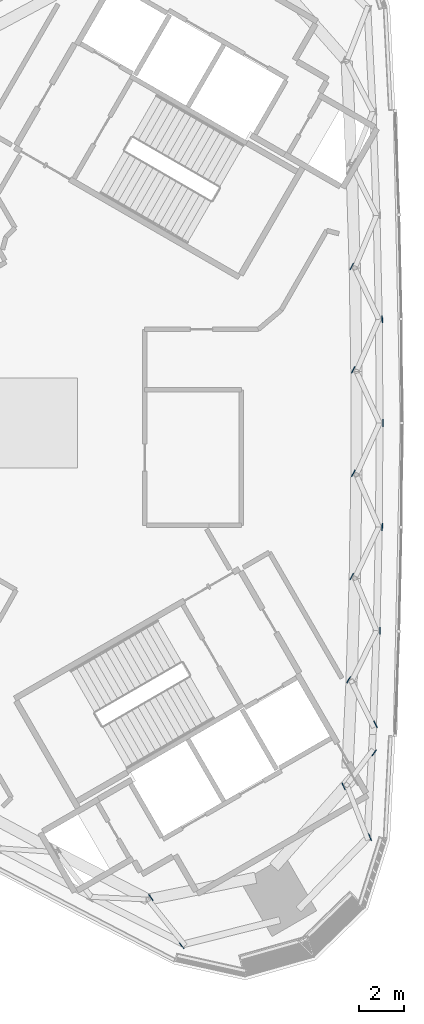
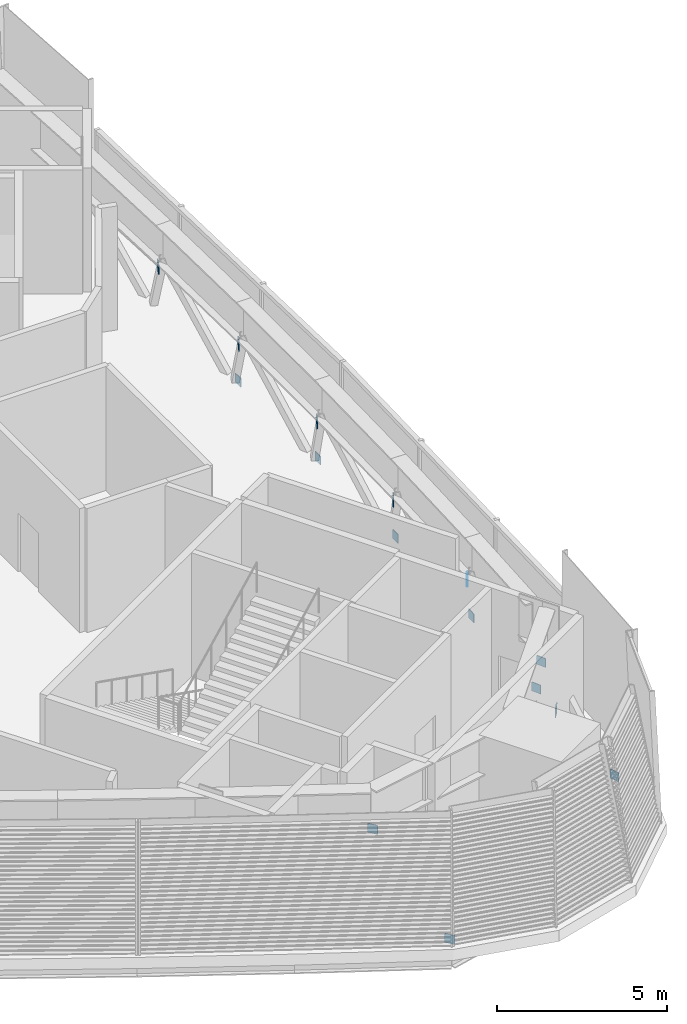
# One storey, part 9 of 18: 15 plates.
"""IFC4 building model written with IfcOpenShell, lengths in metres."""

from ifc_helpers import new_model, si_unit, direction, frame, origin, origin_2d, place, context, subcontext, project, spatial, rectangle, extrude, material, layer, layer_set, type_object, element, save


model = new_model("IFC4")

# Units and contexts
model_context = context("Model", 3, precision=1e-05, world=origin(), true_north=direction((0.0, 1.0)))
body_context = subcontext(model_context, "Body", "Model", "MODEL_VIEW")
ifc_project = project(units=[si_unit("LENGTHUNIT", "METRE"), si_unit("AREAUNIT", "SQUARE_METRE"), si_unit("VOLUMEUNIT", "CUBIC_METRE"), si_unit("PLANEANGLEUNIT", "RADIAN"), si_unit("MASSUNIT", "GRAM", prefix="KILO")], contexts=[model_context])

# Site, building, storey
site_placement = place(None, origin())
site = spatial("IfcSite", under=ifc_project, at=site_placement, CompositionType="ELEMENT")
building_placement = place(site_placement, origin())
building = spatial("IfcBuilding", under=site, at=building_placement, Name="Tamra Quay Hotel Tower", CompositionType="ELEMENT")
storey_placement = place(building_placement, frame((0.0, 0.0, 257.39990234375)))
storey = spatial("IfcBuildingStorey", under=building, at=storey_placement, Name="L65", CompositionType="ELEMENT", Elevation=257.39990234375)

# Plates
ifc_material = material(Name="Structural steel IS 2062 E350", Category="steel")
ifc_layer = layer(ifc_material, 0.02490234375)
ifc_layer_set = layer_set([ifc_layer], Name="BRACE END PLATE 25")
plate_type = type_object("IfcPlateType", Name="BRACE END PLATE 25", PredefinedType="SHEET", material=ifc_layer_set)
for number, where, z_axis, x_axis, name in (
    (1, (16.23974609375, -18.446533203125, -0.39990234375), (0.0, 0.0, 1.0), (0.932034434875, 0.362369717565, 0.0), "BEP-L65-001"),
    (2, (16.68310546875, -9.25439453125, -0.39990234375), (0.0, 0.0, 1.0), (-0.999489251902, 0.03195677286, 0.0), "BEP-L65-002"),
    (3, (16.78515625, -4.62744140625, -0.39990234375), (0.0, 0.0, 1.0), (-0.99987251392, 0.015967338754, 0.0), "BEP-L65-003"),
    (4, (16.819091796875, 0.0, -0.39990234375), (0.0, 0.0, 1.0), (1.0, 0.0, 0.0), "BEP-L65-004"),
    (5, (16.78515625, 4.62744140625, -0.39990234375), (0.0, 0.0, 1.0), (0.99987251392, 0.015967338754, 0.0), "BEP-L65-005"),
    (6, (7.85546875, -23.287353515625, -0.39990234375), (0.0, 0.0, 1.0), (0.779837505867, 0.625982000095, 0.0), "BEP-L65-024"),
    (7, (16.422607421875, -14.694091796875, -0.39990234375), (0.0, 0.0, 1.0), (-0.799994739329, 0.600007014164, 0.0), "BEP-L65-025"),
    (8, (16.488037109375, -13.41796875, -0.39990234375), (0.0, 0.0, 1.0), (0.897802481609, 0.440398346974, 0.0), "BEP-L65-026"),
    (9, (15.063232421875, -16.182373046875, 2.72998046875), (0.0, 0.0, 1.0), (0.904918435997, 0.425585037557, 0.0), "BEP-L65-031"),
    (10, (15.28515625, -11.438232421875, 2.72998046875), (0.0, 0.0, 1.0), (-0.86569097977, 0.500578792544, 0.0), "BEP-L65-032"),
    (11, (15.428466796875, -6.837890625, 2.72998046875), (0.0, 0.0, 1.0), (-0.880411149725, 0.474211142256, 0.0), "BEP-L65-033"),
    (12, (15.49951171875, -2.233642578125, 2.72998046875), (0.0, 0.0, 1.0), (-0.88752525368, 0.46075907379, 0.0), "BEP-L65-034"),
    (13, (15.498291015625, 2.371337890625, 2.72998046875), (0.0, 0.0, 1.0), (-0.894436176159, 0.44719562473, 0.0), "BEP-L65-035"),
    (14, (15.42529296875, 6.9755859375, 2.72998046875), (0.0, 0.0, 1.0), (-0.901137562769, 0.433533266274, 0.0), "BEP-L65-036"),
    (15, (6.47900390625, -21.135009765625, 2.72998046875), (0.0, 0.0, 1.0), (0.808532505123, 0.588451517254, 0.0), "BEP-L65-054"),
):
    element("IfcPlate", number, at=place(storey_placement, frame(where, z_axis=z_axis, x_axis=x_axis)), inside=storey, type_object=plate_type, Name=name, PredefinedType="SHEET", context=body_context, shape_type="SweptSolid", body=[
        extrude(rectangle(XDim=0.02490234375, YDim=0.320068359375, at=origin_2d()), origin(), (0.0, 0.0, 1.0), 0.320068359375),
    ])

save(model, "model.ifc")
